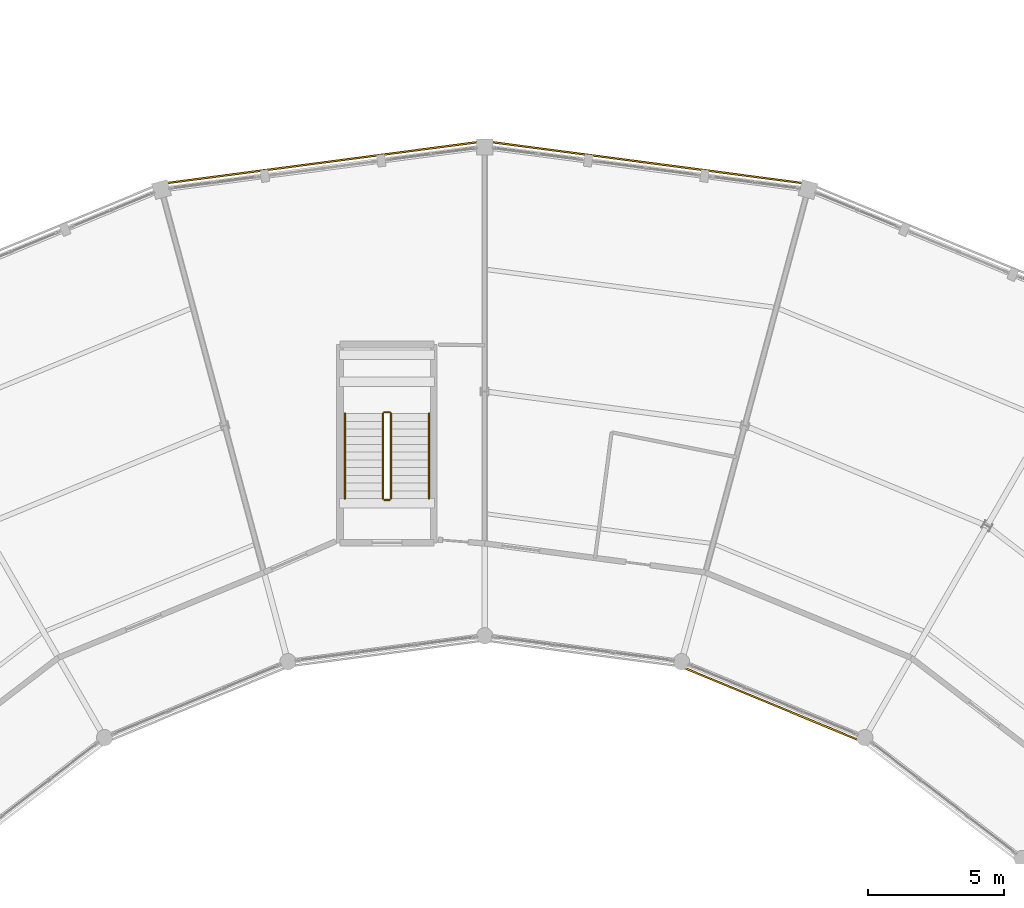
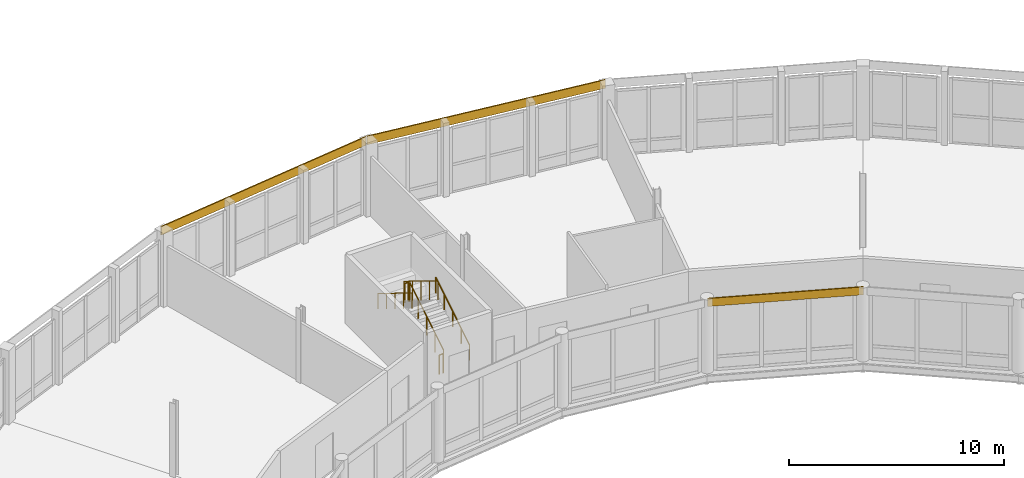
# One storey, part 164 of 170: 6 railings, 3 coverings.
"""IFC4 building model written with IfcOpenShell, lengths in metres."""

from ifc_helpers import new_model, si_unit, direction, frame, origin, origin_2d, place, context, subcontext, project, spatial, rectangle, circle, extrude, material, layer, layer_set, type_object, element, save


model = new_model("IFC4")

# Units and contexts
model_context = context("Model", 3, precision=1e-05, world=origin(), true_north=direction((0.0, 1.0)))
body_context = subcontext(model_context, "Body", "Model", "MODEL_VIEW")
ifc_project = project(units=[si_unit("LENGTHUNIT", "METRE"), si_unit("AREAUNIT", "SQUARE_METRE"), si_unit("VOLUMEUNIT", "CUBIC_METRE"), si_unit("PLANEANGLEUNIT", "RADIAN"), si_unit("MASSUNIT", "GRAM", prefix="KILO")], contexts=[model_context])

# Site, building, storey
site_placement = place(None, origin())
site = spatial("IfcSite", under=ifc_project, at=site_placement, CompositionType="ELEMENT")
building_placement = place(site_placement, origin())
building = spatial("IfcBuilding", under=site, at=building_placement, Name="Vondelvale Polytechnic", CompositionType="ELEMENT")
storey_placement = place(building_placement, frame((0.0, 0.0, 5.39990234375)))
storey = spatial("IfcBuildingStorey", under=building, at=storey_placement, Name="L01", CompositionType="ELEMENT", Elevation=5.39990234375)

# Coverings
ifc_material_1 = material(Name="Engineered Tasmanian oak studio and bridge joinery")
ifc_layer_1 = layer(ifc_material_1, 0.06494140625)
ifc_layer_set_1 = layer_set([ifc_layer_1], Name="COV-OAK-SPANDREL")
covering_type = type_object("IfcCoveringType", Name="COV-OAK-SPANDREL", PredefinedType="CLADDING", material=ifc_layer_set_1)
covering_placement = place(storey_placement, frame((112.55810546875, 97.4892578125, 3.75), z_axis=(0.0, 0.0, 1.0), x_axis=(-0.923879532511, 0.382683432365, 0.0)))
element("IfcCovering", 1, at=covering_placement, inside=storey, type_object=covering_type, Name="L01 exterior masonry spandrel band", PredefinedType="CLADDING", context=body_context, shape_type="SweptSolid", body=[
    extrude(rectangle(XDim=7.3095703125, YDim=0.06494140625, at=origin_2d()), origin(), (0.0, 0.0, 1.0), 0.449951171875),
])
for number, where, z_axis, x_axis, name in (
    (2, (107.980224609375, 117.42529296875, 3.72021484375), (0.0, 0.0, 1.0), (-0.991444861374, 0.13052619222, 0.0), "L01 exterior masonry spandrel band"),
    (3, (96.019775390625, 117.42529296875, 3.72021484375), (0.0, 0.0, 1.0), (-0.991444861374, -0.13052619222, 0.0), "L01 exterior masonry spandrel band"),
):
    element("IfcCovering", number, at=place(storey_placement, frame(where, z_axis=z_axis, x_axis=x_axis)), inside=storey, type_object=covering_type, Name=name, PredefinedType="CLADDING", context=body_context, shape_type="SweptSolid", body=[
        extrude(rectangle(XDim=12.00830078125, YDim=0.06494140625, at=origin_2d()), origin(), (0.0, 0.0, 1.0), 0.47998046875),
    ])

# Railings
ifc_material_2 = material(Name="Brushed architectural stainless and zinc-coated metal")
ifc_layer_2 = layer(ifc_material_2, 0.050048828125)
ifc_layer_set_2 = layer_set([ifc_layer_2], Name="RL-STAIR-GUARD")
railing_type_1 = type_object("IfcRailingType", Name="RL-STAIR-GUARD", PredefinedType="GUARDRAIL", material=ifc_layer_set_2)
railing_1_placement = place(storey_placement, frame((98.550048828125, 105.050048828125, 0.175048828125)))
element("IfcRailing", 4, at=railing_1_placement, inside=storey, type_object=railing_type_1, Name="L01 ST-09 stair guard 1", PredefinedType="GUARDRAIL", context=body_context, shape_type="SweptSolid", body=[
    extrude(circle(Radius=0.02392578125, at=origin_2d()), frame((0.0, 0.0, 1.076171875), z_axis=(0.0, 0.852166034122, 0.523271488128), x_axis=(-1.0, 0.0, 0.0)), (0.0, 0.0, 1.0), 3.678955078125),
    extrude(circle(Radius=0.02099609375, at=origin_2d()), origin(), (0.0, 0.0, 1.0), 1.052001953125),
    extrude(circle(Radius=0.02099609375, at=origin_2d()), frame((0.0, 0.78369140625, 0.481201171875)), (0.0, 0.0, 1.0), 1.052001953125),
    extrude(circle(Radius=0.02099609375, at=origin_2d()), frame((0.0, 1.5673828125, 0.96240234375)), (0.0, 0.0, 1.0), 1.052001953125),
    extrude(circle(Radius=0.02099609375, at=origin_2d()), frame((0.0, 2.351318359375, 1.44384765625)), (0.0, 0.0, 1.0), 1.052001953125),
    extrude(circle(Radius=0.02099609375, at=origin_2d()), frame((0.0, 3.135009765625, 1.925048828125)), (0.0, 0.0, 1.0), 1.052001953125),
])
railing_2_placement = place(storey_placement, frame((98.5, 108.235107421875, 2.10009765625)))
element("IfcRailing", 5, at=railing_2_placement, inside=storey, type_object=railing_type_1, Name="L01 ST-09 stair guard 2", PredefinedType="GUARDRAIL", context=body_context, shape_type="SweptSolid", body=[
    extrude(circle(Radius=0.02392578125, at=origin_2d()), frame((0.0, 0.0, 1.076171875), z_axis=(-1.0, 0.0, 0.0), x_axis=(0.0, -1.0, 0.0)), (0.0, 0.0, 1.0), 0.199951171875),
    extrude(circle(Radius=0.02099609375, at=origin_2d()), origin(), (0.0, 0.0, 1.0), 1.052001953125),
    extrude(circle(Radius=0.02099609375, at=origin_2d()), frame((-0.199951171875, 0.0, 0.0)), (0.0, 0.0, 1.0), 1.052001953125),
])
railing_3_placement = place(storey_placement, frame((98.25, 108.18505859375, 2.275146484375)))
element("IfcRailing", 6, at=railing_3_placement, inside=storey, type_object=railing_type_1, Name="L01 ST-09 stair guard 3", PredefinedType="GUARDRAIL", context=body_context, shape_type="SweptSolid", body=[
    extrude(circle(Radius=0.02392578125, at=origin_2d()), frame((0.0, 0.0, 1.076171875), z_axis=(0.0, -0.852166034122, 0.523271488128), x_axis=(1.0, 0.0, 0.0)), (0.0, 0.0, 1.0), 3.678955078125),
    extrude(circle(Radius=0.02099609375, at=origin_2d()), origin(), (0.0, 0.0, 1.0), 1.052001953125),
    extrude(circle(Radius=0.02099609375, at=origin_2d()), frame((0.0, -0.78369140625, 0.481201171875)), (0.0, 0.0, 1.0), 1.052001953125),
    extrude(circle(Radius=0.02099609375, at=origin_2d()), frame((0.0, -1.5673828125, 0.96240234375)), (0.0, 0.0, 1.0), 1.052001953125),
    extrude(circle(Radius=0.02099609375, at=origin_2d()), frame((0.0, -2.351318359375, 1.44384765625)), (0.0, 0.0, 1.0), 1.052001953125),
    extrude(circle(Radius=0.02099609375, at=origin_2d()), frame((0.0, -3.135009765625, 1.925048828125)), (0.0, 0.0, 1.0), 1.052001953125),
])
railing_4_placement = place(storey_placement, frame((98.5, 105.0, 0.0)))
element("IfcRailing", 7, at=railing_4_placement, inside=storey, type_object=railing_type_1, Name="L01 ST-09 stair guard 4", PredefinedType="GUARDRAIL", context=body_context, shape_type="SweptSolid", body=[
    extrude(circle(Radius=0.02392578125, at=origin_2d()), frame((0.0, 0.0, 1.076171875), z_axis=(-1.0, 0.0, 0.0), x_axis=(0.0, -1.0, 0.0)), (0.0, 0.0, 1.0), 0.199951171875),
    extrude(circle(Radius=0.02099609375, at=origin_2d()), origin(), (0.0, 0.0, 1.0), 1.052001953125),
    extrude(circle(Radius=0.02099609375, at=origin_2d()), frame((-0.199951171875, 0.0, 0.0)), (0.0, 0.0, 1.0), 1.052001953125),
])
ifc_layer_3 = layer(ifc_material_2, 0.048095703125)
ifc_layer_set_3 = layer_set([ifc_layer_3], Name="RL-STAIR-HANDRAIL")
railing_type_2 = type_object("IfcRailingType", Name="RL-STAIR-HANDRAIL", PredefinedType="HANDRAIL", material=ifc_layer_set_3)
railing_5_placement = place(storey_placement, frame((99.949951171875, 105.050048828125, 0.175048828125)))
element("IfcRailing", 8, at=railing_5_placement, inside=storey, type_object=railing_type_2, Name="L01 ST-09 stair handrail 1", PredefinedType="HANDRAIL", context=body_context, shape_type="SweptSolid", body=[
    extrude(circle(Radius=0.02392578125, at=origin_2d()), frame((0.0, 0.0, 0.8759765625), z_axis=(0.0, 0.852166034122, 0.523271488128), x_axis=(-1.0, 0.0, 0.0)), (0.0, 0.0, 1.0), 3.678955078125),
    extrude(circle(Radius=0.02099609375, at=origin_2d()), origin(), (0.0, 0.0, 1.0), 0.851806640625),
    extrude(circle(Radius=0.02099609375, at=origin_2d()), frame((0.0, 0.78369140625, 0.481201171875)), (0.0, 0.0, 1.0), 0.851806640625),
    extrude(circle(Radius=0.02099609375, at=origin_2d()), frame((0.0, 1.5673828125, 0.96240234375)), (0.0, 0.0, 1.0), 0.851806640625),
    extrude(circle(Radius=0.02099609375, at=origin_2d()), frame((0.0, 2.351318359375, 1.44384765625)), (0.0, 0.0, 1.0), 0.851806640625),
    extrude(circle(Radius=0.02099609375, at=origin_2d()), frame((0.0, 3.135009765625, 1.925048828125)), (0.0, 0.0, 1.0), 0.851806640625),
])
railing_6_placement = place(storey_placement, frame((96.85009765625, 108.18505859375, 2.275146484375)))
element("IfcRailing", 9, at=railing_6_placement, inside=storey, type_object=railing_type_2, Name="L01 ST-09 stair handrail 2", PredefinedType="HANDRAIL", context=body_context, shape_type="SweptSolid", body=[
    extrude(circle(Radius=0.02392578125, at=origin_2d()), frame((0.0, 0.0, 0.8759765625), z_axis=(0.0, -0.852166034122, 0.523271488128), x_axis=(1.0, 0.0, 0.0)), (0.0, 0.0, 1.0), 3.678955078125),
    extrude(circle(Radius=0.02099609375, at=origin_2d()), origin(), (0.0, 0.0, 1.0), 0.851806640625),
    extrude(circle(Radius=0.02099609375, at=origin_2d()), frame((0.0, -0.78369140625, 0.481201171875)), (0.0, 0.0, 1.0), 0.851806640625),
    extrude(circle(Radius=0.02099609375, at=origin_2d()), frame((0.0, -1.5673828125, 0.96240234375)), (0.0, 0.0, 1.0), 0.851806640625),
    extrude(circle(Radius=0.02099609375, at=origin_2d()), frame((0.0, -2.351318359375, 1.44384765625)), (0.0, 0.0, 1.0), 0.851806640625),
    extrude(circle(Radius=0.02099609375, at=origin_2d()), frame((0.0, -3.135009765625, 1.925048828125)), (0.0, 0.0, 1.0), 0.851806640625),
])

save(model, "model.ifc")
